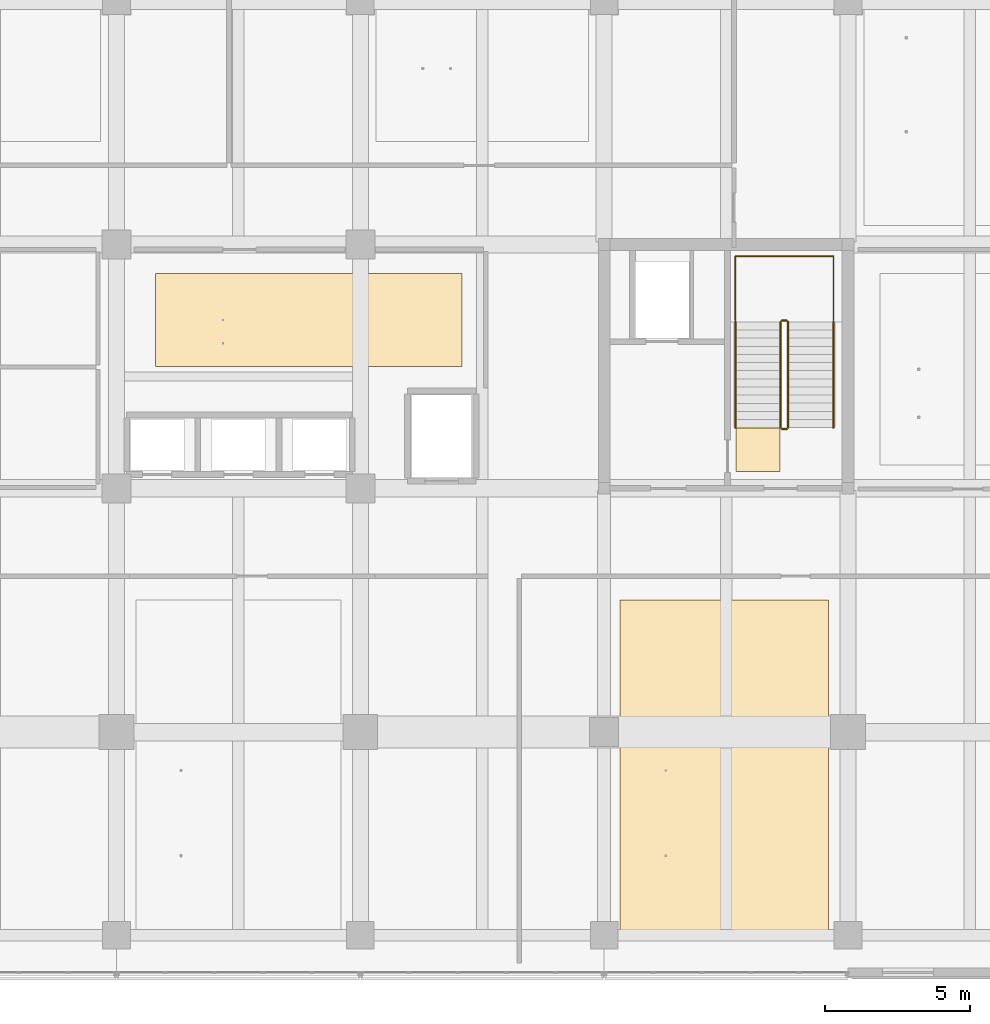
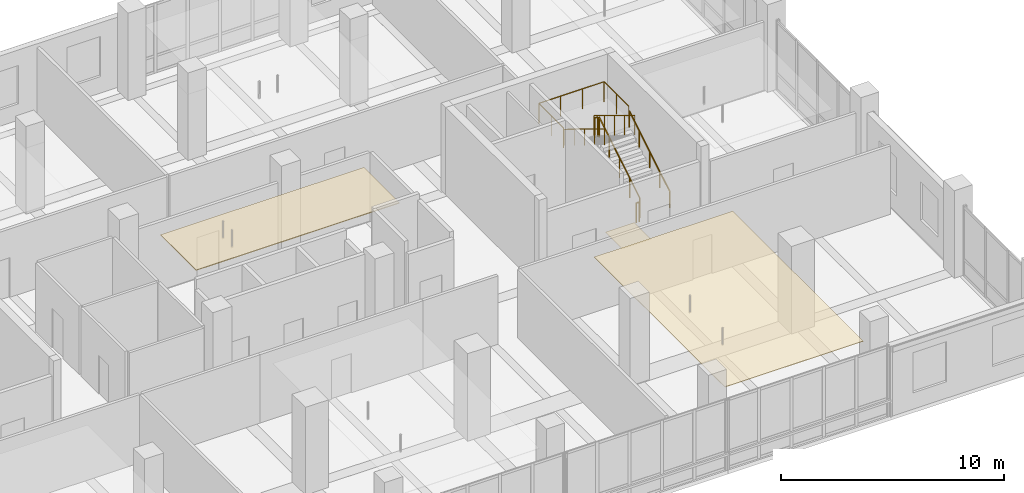
# One storey, part 112 of 122: 7 railings, 3 coverings.
"""IFC4 building model written with IfcOpenShell, lengths in metres."""

from ifc_helpers import new_model, si_unit, direction, frame, origin, origin_2d, place, context, subcontext, project, spatial, polyline, circle, outline, extrude, material, layer, layer_set, type_object, element, save


model = new_model("IFC4")

# Units and contexts
model_context = context("Model", 3, precision=1e-05, world=origin(), true_north=direction((0.0, 1.0)))
body_context = subcontext(model_context, "Body", "Model", "MODEL_VIEW")
ifc_project = project(units=[si_unit("LENGTHUNIT", "METRE"), si_unit("AREAUNIT", "SQUARE_METRE"), si_unit("VOLUMEUNIT", "CUBIC_METRE"), si_unit("PLANEANGLEUNIT", "RADIAN"), si_unit("MASSUNIT", "GRAM", prefix="KILO")], contexts=[model_context])

# Site, building, storey
site_placement = place(None, origin())
site = spatial("IfcSite", under=ifc_project, at=site_placement, CompositionType="ELEMENT")
building_placement = place(site_placement, origin())
building = spatial("IfcBuilding", under=site, at=building_placement, Name="Telukmera Botanical Conservatory", CompositionType="ELEMENT")
storey_placement = place(building_placement, frame((0.0, 0.0, 10.199951171875)))
storey = spatial("IfcBuildingStorey", under=building, at=storey_placement, Name="L02", CompositionType="ELEMENT", Elevation=10.199951171875)

# Coverings
ifc_material_1 = material(Name="Mineral fibre acoustic ceiling")
ifc_layer_1 = layer(ifc_material_1, 0.030029296875)
ifc_layer_set_1 = layer_set([ifc_layer_1], Name="Mineral fibre acoustic ceiling")
covering_type_1 = type_object("IfcCoveringType", Name="COV-CEIL-30", PredefinedType="CEILING", material=ifc_layer_set_1)
covering_1_placement = place(storey_placement, frame((0.0, 0.0, 3.6201171875)))
element("IfcCovering", 1, at=covering_1_placement, inside=storey, type_object=covering_type_1, Name="L02 Specimen Mounting Studio Suspended Acoustic Ceiling", PredefinedType="CEILING", context=body_context, shape_type="SweptSolid", body=[
    extrude(outline(polyline([(92.945068359375, 10.39990234375), (100.1298828125, 10.39990234375), (100.1298828125, 22.14990234375), (92.945068359375, 22.14990234375), (92.945068359375, 10.39990234375)])), origin(), (0.0, 0.0, 1.0), 0.030029296875),
])
ifc_material_2 = material(Name="Perforated gypsum acoustic ceiling")
ifc_layer_2 = layer(ifc_material_2, 0.0400390625)
ifc_layer_set_2 = layer_set([ifc_layer_2], Name="Perforated gypsum acoustic ceiling")
covering_type_2 = type_object("IfcCoveringType", Name="COV-CEIL-40", PredefinedType="CEILING", material=ifc_layer_set_2)
covering_2_placement = place(storey_placement, frame((0.0, 0.0, 3.610107421875)))
element("IfcCovering", 2, at=covering_2_placement, inside=storey, type_object=covering_type_2, Name="L02 Botanical Voucher Preparation Studio Suspended Acoustic Ceiling", PredefinedType="CEILING", context=body_context, shape_type="SweptSolid", body=[
    extrude(outline(polyline([(76.949951171875, 30.199951171875), (87.5, 30.199951171875), (87.5, 33.39990234375), (76.949951171875, 33.39990234375), (76.949951171875, 30.199951171875)])), origin(), (0.0, 0.0, 1.0), 0.0400390625),
])
ifc_material_3 = material(Name="Honed granite non-slip flooring", Category="masonry")
ifc_layer_3 = layer(ifc_material_3, 0.011962890625)
ifc_layer_set_3 = layer_set([ifc_layer_3], Name="Honed granite non-slip flooring")
covering_type_3 = type_object("IfcCoveringType", Name="COV-FLR-12", PredefinedType="FLOORING", material=ifc_layer_set_3)
covering_3_placement = place(storey_placement, origin())
element("IfcCovering", 3, at=covering_3_placement, inside=storey, type_object=covering_type_3, Name="L02 ST2 Non-Slip Stair Landing Finish", PredefinedType="FLOORING", context=body_context, shape_type="SweptSolid", body=[
    extrude(outline(polyline([(98.449951171875, 26.570068359375), (98.449951171875, 28.0849609375), (96.949951171875, 28.0849609375), (96.949951171875, 26.570068359375), (98.449951171875, 26.570068359375)])), origin(), (0.0, 0.0, 1.0), 0.011962890625),
])

# Railings
ifc_material_4 = material(Name="Steel S355", Category="steel")
railing_type_1 = type_object("IfcRailingType", Name="RL-GUARD-1100", PredefinedType="GUARDRAIL", material=ifc_material_4)
railing_1_placement = place(storey_placement, frame((98.739990234375, 28.090087890625, 0.17138671875)))
element("IfcRailing", 4, at=railing_1_placement, inside=storey, type_object=railing_type_1, Name="L02 ST2 stair guard 1", PredefinedType="GUARDRAIL", context=body_context, shape_type="SweptSolid", body=[
    extrude(circle(Radius=0.02392578125, at=origin_2d()), frame((0.0, 0.0, 1.076171875), z_axis=(0.0, 0.852824790078, 0.522197163366), x_axis=(-1.0, 0.0, 0.0)), (0.0, 0.0, 1.0), 4.26806640625),
    extrude(circle(Radius=0.02099609375, at=origin_2d()), origin(), (0.0, 0.0, 1.0), 1.052001953125),
    extrude(circle(Radius=0.02099609375, at=origin_2d()), frame((0.0, 0.909912109375, 0.55712890625)), (0.0, 0.0, 1.0), 1.052001953125),
    extrude(circle(Radius=0.02099609375, at=origin_2d()), frame((0.0, 1.81982421875, 1.1142578125)), (0.0, 0.0, 1.0), 1.052001953125),
    extrude(circle(Radius=0.02099609375, at=origin_2d()), frame((0.0, 2.72998046875, 1.671630859375)), (0.0, 0.0, 1.0), 1.052001953125),
    extrude(circle(Radius=0.02099609375, at=origin_2d()), frame((0.0, 3.639892578125, 2.228759765625)), (0.0, 0.0, 1.0), 1.052001953125),
])
railing_2_placement = place(storey_placement, frame((98.68994140625, 31.780029296875, 2.400146484375)))
element("IfcRailing", 5, at=railing_2_placement, inside=storey, type_object=railing_type_1, Name="L02 ST2 stair guard 2", PredefinedType="GUARDRAIL", context=body_context, shape_type="SweptSolid", body=[
    extrude(circle(Radius=0.02392578125, at=origin_2d()), frame((0.0, 0.0, 1.076171875), z_axis=(-1.0, 0.0, 0.0), x_axis=(0.0, -1.0, 0.0)), (0.0, 0.0, 1.0), 0.159912109375),
    extrude(circle(Radius=0.02099609375, at=origin_2d()), origin(), (0.0, 0.0, 1.0), 1.052001953125),
    extrude(circle(Radius=0.02099609375, at=origin_2d()), frame((-0.159912109375, 0.0, 0.0)), (0.0, 0.0, 1.0), 1.052001953125),
])
railing_3_placement = place(storey_placement, frame((98.47998046875, 31.72998046875, 2.571533203125)))
element("IfcRailing", 6, at=railing_3_placement, inside=storey, type_object=railing_type_1, Name="L02 ST2 stair guard 3", PredefinedType="GUARDRAIL", context=body_context, shape_type="SweptSolid", body=[
    extrude(circle(Radius=0.02392578125, at=origin_2d()), frame((0.0, 0.0, 1.076171875), z_axis=(0.0, -0.852850264322, 0.5221555579), x_axis=(1.0, 0.0, 0.0)), (0.0, 0.0, 1.0), 4.267822265625),
    extrude(circle(Radius=0.02099609375, at=origin_2d()), origin(), (0.0, 0.0, 1.0), 1.052001953125),
    extrude(circle(Radius=0.02099609375, at=origin_2d()), frame((0.0, -0.909912109375, 0.55712890625)), (0.0, 0.0, 1.0), 1.052001953125),
    extrude(circle(Radius=0.02099609375, at=origin_2d()), frame((0.0, -1.81982421875, 1.1142578125)), (0.0, 0.0, 1.0), 1.052001953125),
    extrude(circle(Radius=0.02099609375, at=origin_2d()), frame((0.0, -2.72998046875, 1.67138671875)), (0.0, 0.0, 1.0), 1.052001953125),
    extrude(circle(Radius=0.02099609375, at=origin_2d()), frame((0.0, -3.639892578125, 2.228515625)), (0.0, 0.0, 1.0), 1.052001953125),
])
railing_4_placement = place(storey_placement, frame((98.68994140625, 28.0400390625, 0.0)))
element("IfcRailing", 7, at=railing_4_placement, inside=storey, type_object=railing_type_1, Name="L02 ST2 stair guard 4", PredefinedType="GUARDRAIL", context=body_context, shape_type="SweptSolid", body=[
    extrude(circle(Radius=0.02392578125, at=origin_2d()), frame((0.0, 0.0, 1.076171875), z_axis=(-1.0, 0.0, 0.0), x_axis=(0.0, -1.0, 0.0)), (0.0, 0.0, 1.0), 0.159912109375),
    extrude(circle(Radius=0.02099609375, at=origin_2d()), origin(), (0.0, 0.0, 1.0), 1.052001953125),
    extrude(circle(Radius=0.02099609375, at=origin_2d()), frame((-0.159912109375, 0.0, 0.0)), (0.0, 0.0, 1.0), 1.052001953125),
])
railing_5_placement = place(storey_placement, frame((100.300048828125, 31.780029296875, 2.400146484375)))
element("IfcRailing", 8, at=railing_5_placement, inside=storey, type_object=railing_type_1, Name="L02 ST2 half-landing perimeter guard 1", PredefinedType="GUARDRAIL", context=body_context, shape_type="SweptSolid", body=[
    extrude(circle(Radius=0.02392578125, at=origin_2d()), frame((0.0, 0.0, 1.09619140625), z_axis=(0.0, 1.0, 0.0), x_axis=(-1.0, 0.0, 0.0)), (0.0, 0.0, 1.0), 2.219970703125),
    extrude(circle(Radius=0.02392578125, at=origin_2d()), frame((0.0, 2.219970703125, 1.09619140625), z_axis=(-1.0, 0.0, 0.0), x_axis=(0.0, -1.0, 0.0)), (0.0, 0.0, 1.0), 3.380126953125),
    extrude(circle(Radius=0.02392578125, at=origin_2d()), frame((-3.380126953125, 2.219970703125, 1.09619140625), z_axis=(0.0, -1.0, 0.0), x_axis=(1.0, 0.0, 0.0)), (0.0, 0.0, 1.0), 2.219970703125),
    extrude(circle(Radius=0.02099609375, at=origin_2d()), origin(), (0.0, 0.0, 1.0), 1.072021484375),
    extrude(circle(Radius=0.02099609375, at=origin_2d()), frame((0.0, 1.10986328125, 0.0)), (0.0, 0.0, 1.0), 1.072021484375),
    extrude(circle(Radius=0.02099609375, at=origin_2d()), frame((0.0, 2.219970703125, 0.0)), (0.0, 0.0, 1.0), 1.072021484375),
    extrude(circle(Radius=0.02099609375, at=origin_2d()), frame((-1.126708984375, 2.219970703125, 0.0)), (0.0, 0.0, 1.0), 1.072021484375),
    extrude(circle(Radius=0.02099609375, at=origin_2d()), frame((-2.25341796875, 2.219970703125, 0.0)), (0.0, 0.0, 1.0), 1.072021484375),
    extrude(circle(Radius=0.02099609375, at=origin_2d()), frame((-3.380126953125, 2.219970703125, 0.0)), (0.0, 0.0, 1.0), 1.072021484375),
    extrude(circle(Radius=0.02099609375, at=origin_2d()), frame((-3.380126953125, 1.10986328125, 0.0)), (0.0, 0.0, 1.0), 1.072021484375),
    extrude(circle(Radius=0.02099609375, at=origin_2d()), frame((-3.380126953125, 0.0, 0.0)), (0.0, 0.0, 1.0), 1.072021484375),
])
ifc_material_5 = material(Name="Stainless steel 316", Category="steel")
railing_type_2 = type_object("IfcRailingType", Name="RL-HAND-900", PredefinedType="HANDRAIL", material=ifc_material_5)
railing_6_placement = place(storey_placement, frame((100.300048828125, 28.090087890625, 0.17138671875)))
element("IfcRailing", 9, at=railing_6_placement, inside=storey, type_object=railing_type_2, Name="L02 ST2 stair handrail 1", PredefinedType="HANDRAIL", context=body_context, shape_type="SweptSolid", body=[
    extrude(circle(Radius=0.02392578125, at=origin_2d()), frame((0.0, 0.0, 0.8759765625), z_axis=(0.0, 0.852824790078, 0.522197163366), x_axis=(-1.0, 0.0, 0.0)), (0.0, 0.0, 1.0), 4.26806640625),
    extrude(circle(Radius=0.02099609375, at=origin_2d()), origin(), (0.0, 0.0, 1.0), 0.851806640625),
    extrude(circle(Radius=0.02099609375, at=origin_2d()), frame((0.0, 0.909912109375, 0.55712890625)), (0.0, 0.0, 1.0), 0.851806640625),
    extrude(circle(Radius=0.02099609375, at=origin_2d()), frame((0.0, 1.81982421875, 1.1142578125)), (0.0, 0.0, 1.0), 0.851806640625),
    extrude(circle(Radius=0.02099609375, at=origin_2d()), frame((0.0, 2.72998046875, 1.671630859375)), (0.0, 0.0, 1.0), 0.851806640625),
    extrude(circle(Radius=0.02099609375, at=origin_2d()), frame((0.0, 3.639892578125, 2.228759765625)), (0.0, 0.0, 1.0), 0.851806640625),
])
railing_7_placement = place(storey_placement, frame((96.919921875, 31.72998046875, 2.571533203125)))
element("IfcRailing", 10, at=railing_7_placement, inside=storey, type_object=railing_type_2, Name="L02 ST2 stair handrail 2", PredefinedType="HANDRAIL", context=body_context, shape_type="SweptSolid", body=[
    extrude(circle(Radius=0.02392578125, at=origin_2d()), frame((0.0, 0.0, 0.8759765625), z_axis=(0.0, -0.852850264322, 0.5221555579), x_axis=(1.0, 0.0, 0.0)), (0.0, 0.0, 1.0), 4.267822265625),
    extrude(circle(Radius=0.02099609375, at=origin_2d()), origin(), (0.0, 0.0, 1.0), 0.851806640625),
    extrude(circle(Radius=0.02099609375, at=origin_2d()), frame((0.0, -0.909912109375, 0.55712890625)), (0.0, 0.0, 1.0), 0.851806640625),
    extrude(circle(Radius=0.02099609375, at=origin_2d()), frame((0.0, -1.81982421875, 1.1142578125)), (0.0, 0.0, 1.0), 0.851806640625),
    extrude(circle(Radius=0.02099609375, at=origin_2d()), frame((0.0, -2.72998046875, 1.67138671875)), (0.0, 0.0, 1.0), 0.851806640625),
    extrude(circle(Radius=0.02099609375, at=origin_2d()), frame((0.0, -3.639892578125, 2.228515625)), (0.0, 0.0, 1.0), 0.851806640625),
])

save(model, "model.ifc")
